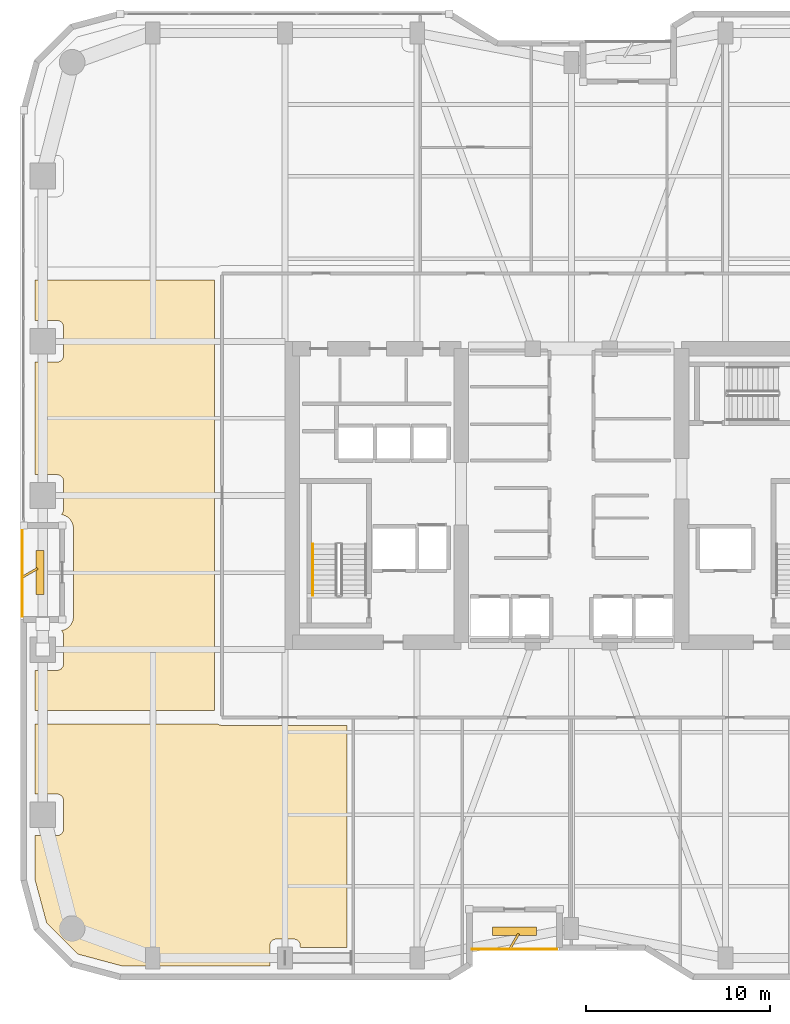
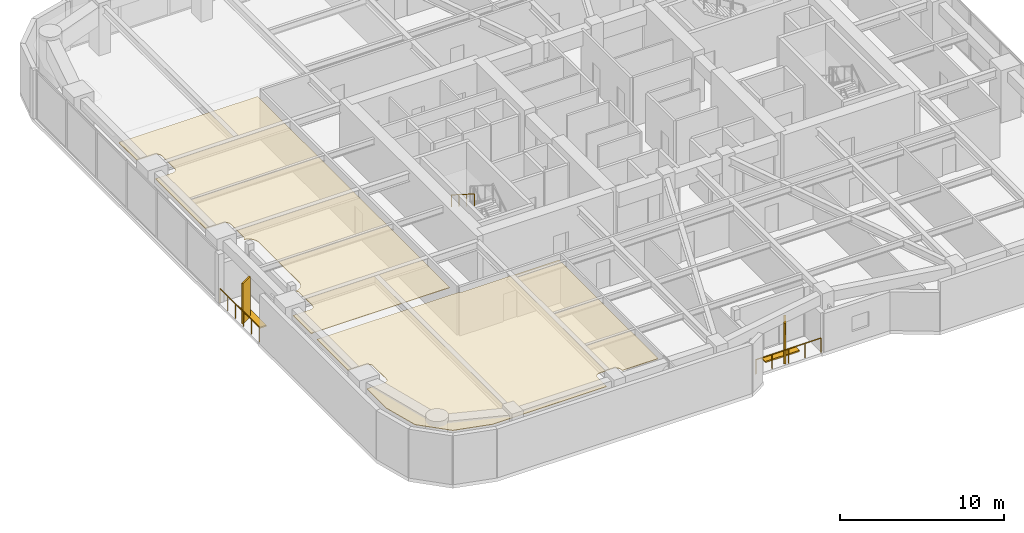
# One storey, part 22 of 24: 4 shading devices, 3 railings, 2 coverings.
"""IFC4 building model written with IfcOpenShell, lengths in metres."""

from ifc_helpers import new_model, si_unit, direction, frame, origin, origin_2d, place, context, subcontext, project, spatial, polyline, rectangle, outline, extrude, material, layer, layer_set, type_object, element, save


model = new_model("IFC4")

# Units and contexts
model_context = context("Model", 3, precision=1e-05, world=origin(), true_north=direction((0.0, 1.0)))
body_context = subcontext(model_context, "Body", "Model", "MODEL_VIEW")
ifc_project = project(units=[si_unit("LENGTHUNIT", "METRE"), si_unit("AREAUNIT", "SQUARE_METRE"), si_unit("VOLUMEUNIT", "CUBIC_METRE"), si_unit("PLANEANGLEUNIT", "RADIAN"), si_unit("MASSUNIT", "GRAM", prefix="KILO")], contexts=[model_context])

# Site, building, storey
site_placement = place(None, origin())
site = spatial("IfcSite", under=ifc_project, at=site_placement, CompositionType="ELEMENT")
building_placement = place(site_placement, origin())
building = spatial("IfcBuilding", under=site, at=building_placement, Name="Kiyonajd Concourse Tower", CompositionType="ELEMENT")
storey_placement = place(building_placement, frame((0.0, 0.0, 101.39990234375)))
storey = spatial("IfcBuildingStorey", under=building, at=storey_placement, Name="L26", CompositionType="ELEMENT", Elevation=101.39990234375)

# Coverings
ifc_material_1 = material(Name="Natural Oak Acoustic Timber Veneer", Category="wood")
ifc_layer = layer(ifc_material_1, 0.0400390625)
ifc_layer_set = layer_set([ifc_layer], Name="Natural Oak Acoustic Timber Veneer")
covering_type = type_object("IfcCoveringType", Name="CV-CLG-ACST", PredefinedType="CEILING", material=ifc_layer_set)
covering_1_placement = place(storey_placement, frame((0.0, 0.0, 3.460205078125)))
element("IfcCovering", 1, at=covering_1_placement, inside=storey, type_object=covering_type, Name="L26-43 Room Acoustic Ceiling", PredefinedType="CEILING", context=body_context, shape_type="SweptSolid", body=[
    extrude(outline(polyline([(19.4140625, 12.697998046875), (18.77001953125, 15.10107421875), (18.77001953125, 17.469970703125), (20.013916015625, 17.471923828125), (20.08203125, 17.485107421875), (20.14501953125, 17.510986328125), (20.201904296875, 17.549072265625), (20.2509765625, 17.597900390625), (20.2890625, 17.655029296875), (20.31494140625, 17.718017578125), (20.330078125, 17.820068359375), (20.327880859375, 19.4140625), (20.31494140625, 19.48193359375), (20.2890625, 19.544921875), (20.22705078125, 19.626953125), (20.14501953125, 19.68896484375), (20.048095703125, 19.722900390625), (19.97998046875, 19.72998046875), (18.77001953125, 19.72998046875), (18.77001953125, 23.550048828125), (28.72705078125, 23.550048828125), (28.781982421875, 23.51611328125), (28.844970703125, 23.489990234375), (28.97509765625, 23.469970703125), (35.77001953125, 23.469970703125), (35.77001953125, 11.3701171875), (33.22998046875, 11.3701171875), (33.222900390625, 11.548095703125), (33.18896484375, 11.64501953125), (33.15087890625, 11.701904296875), (33.10205078125, 11.7509765625), (33.044921875, 11.7890625), (32.98193359375, 11.81494140625), (32.8798828125, 11.830078125), (31.885986328125, 11.827880859375), (31.785888671875, 11.802978515625), (31.697998046875, 11.7509765625), (31.64892578125, 11.701904296875), (31.611083984375, 11.64501953125), (31.576904296875, 11.548095703125), (31.570068359375, 11.47998046875), (31.570068359375, 10.3701171875), (23.5009765625, 10.3701171875), (21.097900390625, 11.013916015625), (19.4140625, 12.697998046875)])), origin(), (0.0, 0.0, 1.0), 0.039794921875),
])
covering_2_placement = place(storey_placement, frame((0.0, 0.0, 3.460205078125)))
element("IfcCovering", 2, at=covering_2_placement, inside=storey, type_object=covering_type, Name="L26-55 Room Acoustic Ceiling", PredefinedType="CEILING", context=body_context, shape_type="SweptSolid", body=[
    extrude(outline(polyline([(20.215087890625, 28.638916015625), (20.340087890625, 28.6689453125), (20.450927734375, 28.715087890625), (20.580078125, 28.798095703125), (20.656982421875, 28.867919921875), (20.73193359375, 28.9609375), (20.80810546875, 29.095947265625), (20.842041015625, 29.193115234375), (20.864013671875, 29.30810546875), (20.8701171875, 34.199951171875), (20.860107421875, 34.31591796875), (20.8310546875, 34.43994140625), (20.7958984375, 34.528076171875), (20.73193359375, 34.638916015625), (20.632080078125, 34.757080078125), (20.5390625, 34.83203125), (20.404052734375, 34.907958984375), (20.306884765625, 34.94189453125), (20.215087890625, 34.9609375), (20.27099609375, 35.02587890625), (20.302978515625, 35.0859375), (20.322998046875, 35.152099609375), (20.330078125, 35.219970703125), (20.330078125, 36.780029296875), (20.31494140625, 36.882080078125), (20.2890625, 36.945068359375), (20.2509765625, 37.001953125), (20.201904296875, 37.051025390625), (20.14501953125, 37.089111328125), (20.08203125, 37.114990234375), (20.013916015625, 37.1279296875), (18.77001953125, 37.1298828125), (18.77001953125, 43.27001953125), (20.013916015625, 43.27197265625), (20.08203125, 43.284912109375), (20.14501953125, 43.31103515625), (20.201904296875, 43.34912109375), (20.2509765625, 43.39794921875), (20.2890625, 43.455078125), (20.31494140625, 43.51806640625), (20.330078125, 43.6201171875), (20.327880859375, 45.214111328125), (20.302978515625, 45.31396484375), (20.2509765625, 45.402099609375), (20.201904296875, 45.450927734375), (20.14501953125, 45.489013671875), (20.048095703125, 45.52294921875), (19.97998046875, 45.530029296875), (18.77001953125, 45.530029296875), (18.77001953125, 47.72998046875), (28.544921875, 47.72998046875), (28.544921875, 24.27001953125), (18.77001953125, 24.27001953125), (18.77001953125, 26.469970703125), (19.97998046875, 26.469970703125), (20.048095703125, 26.47705078125), (20.14501953125, 26.510986328125), (20.201904296875, 26.549072265625), (20.27099609375, 26.6259765625), (20.31494140625, 26.718017578125), (20.330078125, 26.820068359375), (20.327880859375, 28.4140625), (20.31494140625, 28.48193359375), (20.2890625, 28.544921875), (20.2509765625, 28.60205078125), (20.215087890625, 28.638916015625)])), origin(), (0.0, 0.0, 1.0), 0.039794921875),
])

# Railings
ifc_material_2 = material(Name="Thermally Broken Anodised Aluminium", Category="aluminium")
railing_type_1 = type_object("IfcRailingType", Name="RL-GRD-LOG", PredefinedType="GUARDRAIL", material=ifc_material_2)
railing_1_placement = place(storey_placement, frame((42.60009765625, 11.280029296875, 0.0)))
element("IfcRailing", 3, at=railing_1_placement, inside=storey, type_object=railing_type_1, Name="L26 Engawa Loggia Perimeter Guard LOG-S", PredefinedType="GUARDRAIL", context=body_context, shape_type="SweptSolid", body=[
    extrude(rectangle(XDim=0.048095703125, YDim=0.048095703125, at=origin_2d()), frame((0.0, 0.0, 1.076171875), z_axis=(1.0, 0.0, 0.0), x_axis=(0.0, 1.0, 0.0)), (0.0, 0.0, 1.0), 4.599853515625),
    extrude(rectangle(XDim=0.0419921875, YDim=0.0419921875, at=origin_2d()), origin(), (0.0, 0.0, 1.0), 1.052001953125),
    extrude(rectangle(XDim=0.0419921875, YDim=0.0419921875, at=origin_2d()), frame((1.14990234375, 0.0, 0.0)), (0.0, 0.0, 1.0), 1.052001953125),
    extrude(rectangle(XDim=0.0419921875, YDim=0.0419921875, at=origin_2d()), frame((2.2998046875, 0.0, 0.0)), (0.0, 0.0, 1.0), 1.052001953125),
    extrude(rectangle(XDim=0.0419921875, YDim=0.0419921875, at=origin_2d()), frame((3.449951171875, 0.0, 0.0)), (0.0, 0.0, 1.0), 1.052001953125),
    extrude(rectangle(XDim=0.0419921875, YDim=0.0419921875, at=origin_2d()), frame((4.599853515625, 0.0, 0.0)), (0.0, 0.0, 1.0), 1.052001953125),
])
railing_2_placement = place(storey_placement, frame((18.080078125, 34.199951171875, 0.0)))
element("IfcRailing", 4, at=railing_2_placement, inside=storey, type_object=railing_type_1, Name="L26 Engawa Loggia Perimeter Guard LOG-W", PredefinedType="GUARDRAIL", context=body_context, shape_type="SweptSolid", body=[
    extrude(rectangle(XDim=0.048095703125, YDim=0.048095703125, at=origin_2d()), frame((0.0, 0.0, 1.076171875), z_axis=(0.0, -1.0, 0.0), x_axis=(1.0, 0.0, 0.0)), (0.0, 0.0, 1.0), 4.800048828125),
    extrude(rectangle(XDim=0.0419921875, YDim=0.0419921875, at=origin_2d()), origin(), (0.0, 0.0, 1.0), 1.052001953125),
    extrude(rectangle(XDim=0.0419921875, YDim=0.0419921875, at=origin_2d()), frame((0.0, -0.9599609375, 0.0)), (0.0, 0.0, 1.0), 1.052001953125),
    extrude(rectangle(XDim=0.0419921875, YDim=0.0419921875, at=origin_2d()), frame((0.0, -1.919921875, 0.0)), (0.0, 0.0, 1.0), 1.052001953125),
    extrude(rectangle(XDim=0.0419921875, YDim=0.0419921875, at=origin_2d()), frame((0.0, -2.880126953125, 0.0)), (0.0, 0.0, 1.0), 1.052001953125),
    extrude(rectangle(XDim=0.0419921875, YDim=0.0419921875, at=origin_2d()), frame((0.0, -3.840087890625, 0.0)), (0.0, 0.0, 1.0), 1.052001953125),
    extrude(rectangle(XDim=0.0419921875, YDim=0.0419921875, at=origin_2d()), frame((0.0, -4.800048828125, 0.0)), (0.0, 0.0, 1.0), 1.052001953125),
])
ifc_material_3 = material(Name="Brushed Stainless Steel Cab Assembly", Category="steel")
railing_type_2 = type_object("IfcRailingType", Name="RL-HND-900", PredefinedType="HANDRAIL", material=ifc_material_3)
railing_3_placement = place(storey_placement, frame((33.89990234375, 33.35009765625, 2.12744140625)))
element("IfcRailing", 5, at=railing_3_placement, inside=storey, type_object=railing_type_2, Name="L26 ST1 stair handrail 2", PredefinedType="HANDRAIL", context=body_context, shape_type="SweptSolid", body=[
    extrude(rectangle(XDim=0.048095703125, YDim=0.048095703125, at=origin_2d()), frame((0.0, 0.0, 0.8759765625), z_axis=(0.0, -0.844908973607, 0.534910110503), x_axis=(1.0, 0.0, 0.0)), (0.0, 0.0, 1.0), 3.31396484375),
    extrude(rectangle(XDim=0.0419921875, YDim=0.0419921875, at=origin_2d()), origin(), (0.0, 0.0, 1.0), 0.851806640625),
    extrude(rectangle(XDim=0.0419921875, YDim=0.0419921875, at=origin_2d()), frame((0.0, -0.933349609375, 0.5908203125)), (0.0, 0.0, 1.0), 0.851806640625),
    extrude(rectangle(XDim=0.0419921875, YDim=0.0419921875, at=origin_2d()), frame((0.0, -1.86669921875, 1.181884765625)), (0.0, 0.0, 1.0), 0.851806640625),
    extrude(rectangle(XDim=0.0419921875, YDim=0.0419921875, at=origin_2d()), frame((0.0, -2.800048828125, 1.772705078125)), (0.0, 0.0, 1.0), 0.851806640625),
])

# Shading devices
ifc_material_4 = material(Name="Precast concrete C50/60", Category="concrete")
shading_device_type_1 = type_object("IfcShadingDeviceType", Name="SH-FIN-900", PredefinedType="USERDEFINED", material=ifc_material_4)
for number, where, z_axis, x_axis, name in (
    (6, (44.89990234375, 11.72998046875, 0.0), (0.0, 0.0, 1.0), (0.5, 0.866025403784, 0.0), "L26 Angled Koshi Solar Fin LOG-S"),
    (7, (18.530029296875, 31.800048828125, 0.0), (0.0, 0.0, 1.0), (0.866025403784, 0.5, 0.0), "L26 Angled Koshi Solar Fin LOG-W"),
):
    element("IfcShadingDevice", number, at=place(storey_placement, frame(where, z_axis=z_axis, x_axis=x_axis)), inside=storey, type_object=shading_device_type_1, Name=name, ObjectType="FIN", PredefinedType="USERDEFINED", context=body_context, shape_type="SweptSolid", body=[
        extrude(rectangle(XDim=0.89990234375, YDim=0.1201171875, at=origin_2d()), origin(), (0.0, 0.0, 1.0), 3.0),
    ])
shading_device_type_2 = type_object("IfcShadingDeviceType", Name="SH-LVR-600", PredefinedType="JALOUSIE", material=ifc_material_2)
for number, where, z_axis, x_axis, name in (
    (8, (44.89990234375, 12.25, 0.0), (0.0, 0.0, 1.0), (1.0, 0.0, 0.0), "L26 Loggia Threshold Louver LOG-S"),
    (9, (19.050048828125, 31.800048828125, 0.0), (0.0, 0.0, 1.0), (0.0, 1.0, 0.0), "L26 Loggia Threshold Louver LOG-W"),
):
    element("IfcShadingDevice", number, at=place(storey_placement, frame(where, z_axis=z_axis, x_axis=x_axis)), inside=storey, type_object=shading_device_type_2, Name=name, PredefinedType="JALOUSIE", context=body_context, shape_type="SweptSolid", body=[
        extrude(rectangle(XDim=2.39990234375, YDim=0.449951171875, at=origin_2d()), origin(), (0.0, 0.0, 1.0), 0.10009765625),
    ])

save(model, "model.ifc")
